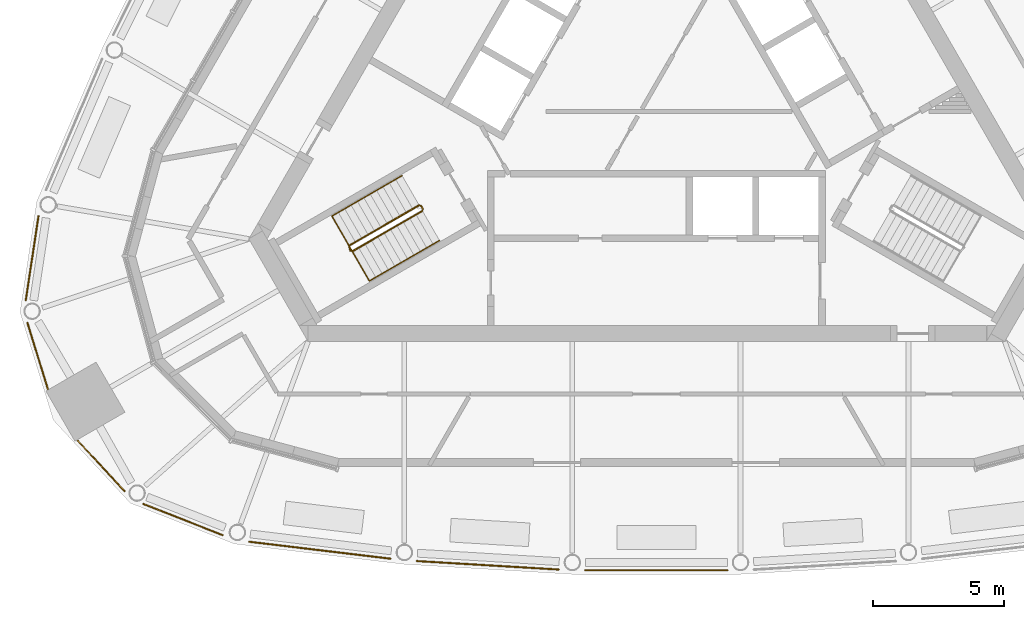
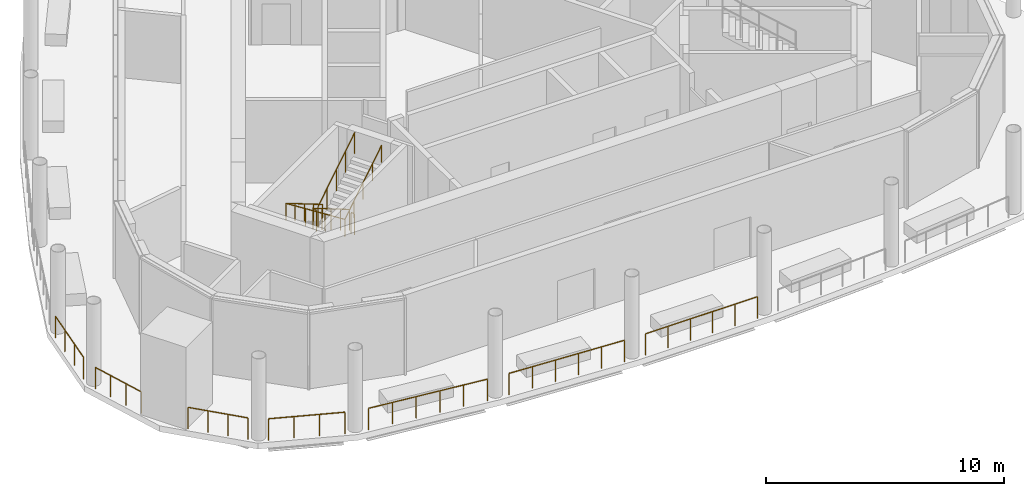
# One storey, part 10 of 15: 11 railings.
"""IFC4 building model written with IfcOpenShell, lengths in metres."""

from ifc_helpers import new_model, si_unit, direction, frame, origin, origin_2d, place, context, subcontext, project, spatial, circle, extrude, material, type_object, element, save


model = new_model("IFC4")

# Units and contexts
model_context = context("Model", 3, precision=1e-05, world=origin(), true_north=direction((0.0, 1.0)))
body_context = subcontext(model_context, "Body", "Model", "MODEL_VIEW")
ifc_project = project(units=[si_unit("LENGTHUNIT", "METRE"), si_unit("AREAUNIT", "SQUARE_METRE"), si_unit("VOLUMEUNIT", "CUBIC_METRE"), si_unit("PLANEANGLEUNIT", "RADIAN"), si_unit("MASSUNIT", "GRAM", prefix="KILO")], contexts=[model_context])

# Site, building, storey
site_placement = place(None, origin())
site = spatial("IfcSite", under=ifc_project, at=site_placement, CompositionType="ELEMENT")
building_placement = place(site_placement, origin())
building = spatial("IfcBuilding", under=site, at=building_placement, Name="Mestral Congress Tower", CompositionType="ELEMENT")
storey_placement = place(building_placement, frame((0.0, 0.0, 327.60009765625)))
storey = spatial("IfcBuildingStorey", under=building, at=storey_placement, Name="L76", CompositionType="ELEMENT", Elevation=327.60009765625)

# Railings
ifc_material_1 = material(Name="Stainless steel", Category="steel")
railing_type_1 = type_object("IfcRailingType", Name="Facade guard 1120 steel and glass", PredefinedType="GUARDRAIL", material=ifc_material_1)
railing_1_placement = place(storey_placement, frame((-15.492431640625, -17.867919921875, 0.0)))
element("IfcRailing", 1, at=railing_1_placement, inside=storey, type_object=railing_type_1, Name="Terrace guard F0-00", PredefinedType="GUARDRAIL", context=body_context, shape_type="SweptSolid", body=[
    extrude(circle(Radius=0.02392578125, at=origin_2d()), frame((0.0, 0.0, 1.09619140625), z_axis=(0.992890912139, -0.119027881575, 0.0), x_axis=(0.119027881575, 0.992890912139, 0.0)), (0.0, 0.0, 1.0), 5.4150390625),
    extrude(circle(Radius=0.02099609375, at=origin_2d()), origin(), (0.0, 0.0, 1.0), 1.072021484375),
    extrude(circle(Radius=0.02099609375, at=origin_2d()), frame((1.0751953125, -0.12890625, 0.0)), (0.0, 0.0, 1.0), 1.072021484375),
    extrude(circle(Radius=0.02099609375, at=origin_2d()), frame((2.150634765625, -0.2578125, 0.0)), (0.0, 0.0, 1.0), 1.072021484375),
    extrude(circle(Radius=0.02099609375, at=origin_2d()), frame((3.225830078125, -0.38671875, 0.0)), (0.0, 0.0, 1.0), 1.072021484375),
    extrude(circle(Radius=0.02099609375, at=origin_2d()), frame((4.30126953125, -0.515625, 0.0)), (0.0, 0.0, 1.0), 1.072021484375),
    extrude(circle(Radius=0.02099609375, at=origin_2d()), frame((5.37646484375, -0.64453125, 0.0)), (0.0, 0.0, 1.0), 1.072021484375),
])
railing_2_placement = place(storey_placement, frame((-9.109375, -18.602783203125, 0.0)))
element("IfcRailing", 2, at=railing_2_placement, inside=storey, type_object=railing_type_1, Name="Terrace guard F0-01", PredefinedType="GUARDRAIL", context=body_context, shape_type="SweptSolid", body=[
    extrude(circle(Radius=0.02392578125, at=origin_2d()), frame((0.0, 0.0, 1.09619140625), z_axis=(0.998221492823, -0.059614186786, 0.0), x_axis=(0.059614186786, 0.998221492823, 0.0)), (0.0, 0.0, 1.0), 5.40576171875),
    extrude(circle(Radius=0.02099609375, at=origin_2d()), origin(), (0.0, 0.0, 1.0), 1.072021484375),
    extrude(circle(Radius=0.02099609375, at=origin_2d()), frame((1.079345703125, -0.064453125, 0.0)), (0.0, 0.0, 1.0), 1.072021484375),
    extrude(circle(Radius=0.02099609375, at=origin_2d()), frame((2.158447265625, -0.12890625, 0.0)), (0.0, 0.0, 1.0), 1.072021484375),
    extrude(circle(Radius=0.02099609375, at=origin_2d()), frame((3.23779296875, -0.193359375, 0.0)), (0.0, 0.0, 1.0), 1.072021484375),
    extrude(circle(Radius=0.02099609375, at=origin_2d()), frame((4.31689453125, -0.2578125, 0.0)), (0.0, 0.0, 1.0), 1.072021484375),
    extrude(circle(Radius=0.02099609375, at=origin_2d()), frame((5.396240234375, -0.322265625, 0.0)), (0.0, 0.0, 1.0), 1.072021484375),
])
railing_3_placement = place(storey_placement, frame((-2.702880859375, -18.955078125, 0.0)))
element("IfcRailing", 3, at=railing_3_placement, inside=storey, type_object=railing_type_1, Name="Terrace guard F0-02", PredefinedType="GUARDRAIL", context=body_context, shape_type="SweptSolid", body=[
    extrude(circle(Radius=0.02392578125, at=origin_2d()), frame((0.0, 0.0, 1.09619140625), z_axis=(1.0, 0.0, 0.0), x_axis=(0.0, 1.0, 0.0)), (0.0, 0.0, 1.0), 5.40576171875),
    extrude(circle(Radius=0.02099609375, at=origin_2d()), origin(), (0.0, 0.0, 1.0), 1.072021484375),
    extrude(circle(Radius=0.02099609375, at=origin_2d()), frame((1.0810546875, 0.0, 0.0)), (0.0, 0.0, 1.0), 1.072021484375),
    extrude(circle(Radius=0.02099609375, at=origin_2d()), frame((2.162353515625, 0.0, 0.0)), (0.0, 0.0, 1.0), 1.072021484375),
    extrude(circle(Radius=0.02099609375, at=origin_2d()), frame((3.243408203125, 0.0, 0.0)), (0.0, 0.0, 1.0), 1.072021484375),
    extrude(circle(Radius=0.02099609375, at=origin_2d()), frame((4.32470703125, 0.0, 0.0)), (0.0, 0.0, 1.0), 1.072021484375),
    extrude(circle(Radius=0.02099609375, at=origin_2d()), frame((5.40576171875, 0.0, 0.0)), (0.0, 0.0, 1.0), 1.072021484375),
])
railing_4_placement = place(storey_placement, frame((-23.5048828125, -5.481201171875, 0.0)))
element("IfcRailing", 4, at=railing_4_placement, inside=storey, type_object=railing_type_1, Name="Terrace guard K2-0", PredefinedType="GUARDRAIL", context=body_context, shape_type="SweptSolid", body=[
    extrude(circle(Radius=0.02392578125, at=origin_2d()), frame((0.0, 0.0, 1.09619140625), z_axis=(-0.149347311305, -0.988784799947, 0.0), x_axis=(0.988784799947, -0.149347311305, 0.0)), (0.0, 0.0, 1.0), 3.23681640625),
    extrude(circle(Radius=0.02099609375, at=origin_2d()), origin(), (0.0, 0.0, 1.0), 1.072021484375),
    extrude(circle(Radius=0.02099609375, at=origin_2d()), frame((-0.1611328125, -1.06689453125, 0.0)), (0.0, 0.0, 1.0), 1.072021484375),
    extrude(circle(Radius=0.02099609375, at=origin_2d()), frame((-0.322265625, -2.133544921875, 0.0)), (0.0, 0.0, 1.0), 1.072021484375),
    extrude(circle(Radius=0.02099609375, at=origin_2d()), frame((-0.4833984375, -3.200439453125, 0.0)), (0.0, 0.0, 1.0), 1.072021484375),
])
railing_5_placement = place(storey_placement, frame((-23.923583984375, -9.54833984375, 0.0)))
element("IfcRailing", 5, at=railing_5_placement, inside=storey, type_object=railing_type_1, Name="Terrace guard K2-1", PredefinedType="GUARDRAIL", context=body_context, shape_type="SweptSolid", body=[
    extrude(circle(Radius=0.02392578125, at=origin_2d()), frame((0.0, 0.0, 1.09619140625), z_axis=(0.294706210429, -0.9555879078, 0.0), x_axis=(0.9555879078, 0.294706210429, 0.0)), (0.0, 0.0, 1.0), 2.626953125),
    extrude(circle(Radius=0.02099609375, at=origin_2d()), origin(), (0.0, 0.0, 1.0), 1.072021484375),
    extrude(circle(Radius=0.02099609375, at=origin_2d()), frame((0.258056640625, -0.836669921875, 0.0)), (0.0, 0.0, 1.0), 1.072021484375),
    extrude(circle(Radius=0.02099609375, at=origin_2d()), frame((0.51611328125, -1.673583984375, 0.0)), (0.0, 0.0, 1.0), 1.072021484375),
    extrude(circle(Radius=0.02099609375, at=origin_2d()), frame((0.774169921875, -2.51025390625, 0.0)), (0.0, 0.0, 1.0), 1.072021484375),
])
railing_6_placement = place(storey_placement, frame((-22.017822265625, -14.018798828125, 0.0)))
element("IfcRailing", 6, at=railing_6_placement, inside=storey, type_object=railing_type_1, Name="Terrace guard K2-2", PredefinedType="GUARDRAIL", context=body_context, shape_type="SweptSolid", body=[
    extrude(circle(Radius=0.02392578125, at=origin_2d()), frame((0.0, 0.0, 1.09619140625), z_axis=(0.680265696543, -0.732965607725, 0.0), x_axis=(0.732965607725, 0.680265696543, 0.0)), (0.0, 0.0, 1.0), 2.626708984375),
    extrude(circle(Radius=0.02099609375, at=origin_2d()), origin(), (0.0, 0.0, 1.0), 1.072021484375),
    extrude(circle(Radius=0.02099609375, at=origin_2d()), frame((0.595703125, -0.641845703125, 0.0)), (0.0, 0.0, 1.0), 1.072021484375),
    extrude(circle(Radius=0.02099609375, at=origin_2d()), frame((1.191162109375, -1.283447265625, 0.0)), (0.0, 0.0, 1.0), 1.072021484375),
    extrude(circle(Radius=0.02099609375, at=origin_2d()), frame((1.786865234375, -1.92529296875, 0.0)), (0.0, 0.0, 1.0), 1.072021484375),
])
railing_7_placement = place(storey_placement, frame((-19.5126953125, -16.43359375, 0.0)))
element("IfcRailing", 7, at=railing_7_placement, inside=storey, type_object=railing_type_1, Name="Terrace guard K2-3", PredefinedType="GUARDRAIL", context=body_context, shape_type="SweptSolid", body=[
    extrude(circle(Radius=0.02392578125, at=origin_2d()), frame((0.0, 0.0, 1.09619140625), z_axis=(0.930998834996, -0.365022148967, 0.0), x_axis=(0.365022148967, 0.930998834996, 0.0)), (0.0, 0.0, 1.0), 3.236572265625),
    extrude(circle(Radius=0.02099609375, at=origin_2d()), origin(), (0.0, 0.0, 1.0), 1.072021484375),
    extrude(circle(Radius=0.02099609375, at=origin_2d()), frame((1.00439453125, -0.393798828125, 0.0)), (0.0, 0.0, 1.0), 1.072021484375),
    extrude(circle(Radius=0.02099609375, at=origin_2d()), frame((2.0087890625, -0.78759765625, 0.0)), (0.0, 0.0, 1.0), 1.072021484375),
    extrude(circle(Radius=0.02099609375, at=origin_2d()), frame((3.01318359375, -1.181396484375, 0.0)), (0.0, 0.0, 1.0), 1.072021484375),
])
ifc_material_2 = material(Name="Steel balustrade", Category="steel")
railing_type_2 = type_object("IfcRailingType", Name="Stair guard 1100", PredefinedType="GUARDRAIL", material=ifc_material_2)
railing_8_placement = place(storey_placement, frame((-9.02587890625, -5.066650390625, 0.1748046875)))
element("IfcRailing", 8, at=railing_8_placement, inside=storey, type_object=railing_type_2, Name="L76 ST3 stair guard 1", PredefinedType="GUARDRAIL", context=body_context, shape_type="SweptSolid", body=[
    extrude(circle(Radius=0.02392578125, at=origin_2d()), frame((0.0, 0.0, 1.076171875), z_axis=(-0.734364028329, -0.424015404183, 0.530019255228), x_axis=(0.500026652407, -0.866010015463, 0.0)), (0.0, 0.0, 1.0), 3.632080078125),
    extrude(circle(Radius=0.02392578125, at=origin_2d()), frame((-2.667236328125, -1.5400390625, 3.0009765625), z_axis=(0.274721127897, -0.961523947641, 0.0), x_axis=(0.961523947641, 0.274721127897, 0.0)), (0.0, 0.0, 1.0), 0.2060546875),
    extrude(circle(Radius=0.02099609375, at=origin_2d()), origin(), (0.0, 0.0, 1.0), 1.052001953125),
    extrude(circle(Radius=0.02099609375, at=origin_2d()), frame((-0.666748046875, -0.385009765625, 0.481201171875)), (0.0, 0.0, 1.0), 1.052001953125),
    extrude(circle(Radius=0.02099609375, at=origin_2d()), frame((-1.33349609375, -0.77001953125, 0.96240234375)), (0.0, 0.0, 1.0), 1.052001953125),
    extrude(circle(Radius=0.02099609375, at=origin_2d()), frame((-2.00048828125, -1.155029296875, 1.44384765625)), (0.0, 0.0, 1.0), 1.052001953125),
    extrude(circle(Radius=0.02099609375, at=origin_2d()), frame((-2.667236328125, -1.5400390625, 1.925048828125)), (0.0, 0.0, 1.0), 1.052001953125),
    extrude(circle(Radius=0.02099609375, at=origin_2d()), frame((-2.610595703125, -1.73828125, 1.925048828125)), (0.0, 0.0, 1.0), 1.052001953125),
])
railing_9_placement = place(storey_placement, frame((-11.568115234375, -6.8232421875, 2.27490234375)))
element("IfcRailing", 9, at=railing_9_placement, inside=storey, type_object=railing_type_2, Name="L76 ST3 stair guard 2", PredefinedType="GUARDRAIL", context=body_context, shape_type="SweptSolid", body=[
    extrude(circle(Radius=0.02392578125, at=origin_2d()), frame((0.0, 0.0, 1.076171875), z_axis=(0.734364028329, 0.424015404183, 0.530019255228), x_axis=(-0.500026652407, 0.866010015463, 0.0)), (0.0, 0.0, 1.0), 3.632080078125),
    extrude(circle(Radius=0.02099609375, at=origin_2d()), origin(), (0.0, 0.0, 1.0), 1.052001953125),
    extrude(circle(Radius=0.02099609375, at=origin_2d()), frame((0.666748046875, 0.385009765625, 0.481201171875)), (0.0, 0.0, 1.0), 1.052001953125),
    extrude(circle(Radius=0.02099609375, at=origin_2d()), frame((1.33349609375, 0.77001953125, 0.96240234375)), (0.0, 0.0, 1.0), 1.052001953125),
    extrude(circle(Radius=0.02099609375, at=origin_2d()), frame((2.00048828125, 1.155029296875, 1.44384765625)), (0.0, 0.0, 1.0), 1.052001953125),
    extrude(circle(Radius=0.02099609375, at=origin_2d()), frame((2.667236328125, 1.5400390625, 1.925048828125)), (0.0, 0.0, 1.0), 1.052001953125),
])
railing_10_placement = place(storey_placement, frame((-8.95751953125, -5.0849609375, 0.0)))
element("IfcRailing", 10, at=railing_10_placement, inside=storey, type_object=railing_type_2, Name="L76 ST3 stair guard 3", PredefinedType="GUARDRAIL", context=body_context, shape_type="SweptSolid", body=[
    extrude(circle(Radius=0.02392578125, at=origin_2d()), frame((0.0, 0.0, 1.076171875), z_axis=(0.499816412211, -0.866131372301, 0.0), x_axis=(0.866131372301, 0.499816412211, 0.0)), (0.0, 0.0, 1.0), 0.14990234375),
    extrude(circle(Radius=0.02099609375, at=origin_2d()), origin(), (0.0, 0.0, 1.0), 1.052001953125),
    extrude(circle(Radius=0.02099609375, at=origin_2d()), frame((0.074951171875, -0.1298828125, 0.0)), (0.0, 0.0, 1.0), 1.052001953125),
])
ifc_material_3 = material(Name="Steel handrail", Category="steel")
railing_type_3 = type_object("IfcRailingType", Name="Stair handrail 900", PredefinedType="HANDRAIL", material=ifc_material_3)
railing_11_placement = place(storey_placement, frame((-9.67578125, -3.94091796875, 0.1748046875)))
element("IfcRailing", 11, at=railing_11_placement, inside=storey, type_object=railing_type_3, Name="L76 ST3 stair handrail 1", PredefinedType="HANDRAIL", context=body_context, shape_type="SweptSolid", body=[
    extrude(circle(Radius=0.02392578125, at=origin_2d()), frame((0.0, 0.0, 0.8759765625), z_axis=(-0.734394994316, -0.423994474112, 0.52999309264), x_axis=(0.499992328818, -0.866029832698, 0.0)), (0.0, 0.0, 1.0), 3.63232421875),
    extrude(circle(Radius=0.02392578125, at=origin_2d()), frame((-2.66748046875, -1.5400390625, 2.80078125), z_axis=(0.499095769026, -0.864375386171, 0.061307463833), x_axis=(0.866004402611, 0.500036373335, 0.0)), (0.0, 0.0, 1.0), 2.855224609375),
    extrude(circle(Radius=0.02392578125, at=origin_2d()), frame((-1.242431640625, -4.008056640625, 2.97607421875), z_axis=(0.734384958227, 0.423960268333, 0.530034361155), x_axis=(-0.499967199496, 0.866044340336, 0.0)), (0.0, 0.0, 1.0), 3.6318359375),
    extrude(circle(Radius=0.02099609375, at=origin_2d()), origin(), (0.0, 0.0, 1.0), 0.851806640625),
    extrude(circle(Radius=0.02099609375, at=origin_2d()), frame((-0.6669921875, -0.385009765625, 0.481201171875)), (0.0, 0.0, 1.0), 0.851806640625),
    extrude(circle(Radius=0.02099609375, at=origin_2d()), frame((-1.333740234375, -0.77001953125, 0.96240234375)), (0.0, 0.0, 1.0), 0.851806640625),
    extrude(circle(Radius=0.02099609375, at=origin_2d()), frame((-2.00048828125, -1.155029296875, 1.44384765625)), (0.0, 0.0, 1.0), 0.851806640625),
    extrude(circle(Radius=0.02099609375, at=origin_2d()), frame((-2.66748046875, -1.5400390625, 1.925048828125)), (0.0, 0.0, 1.0), 0.851806640625),
    extrude(circle(Radius=0.02099609375, at=origin_2d()), frame((-2.1923828125, -2.36279296875, 1.9833984375)), (0.0, 0.0, 1.0), 0.851806640625),
    extrude(circle(Radius=0.02099609375, at=origin_2d()), frame((-1.717529296875, -3.185302734375, 2.041748046875)), (0.0, 0.0, 1.0), 0.851806640625),
    extrude(circle(Radius=0.02099609375, at=origin_2d()), frame((-1.242431640625, -4.008056640625, 2.10009765625)), (0.0, 0.0, 1.0), 0.851806640625),
    extrude(circle(Radius=0.02099609375, at=origin_2d()), frame((-0.57568359375, -3.623046875, 2.581298828125)), (0.0, 0.0, 1.0), 0.851806640625),
    extrude(circle(Radius=0.02099609375, at=origin_2d()), frame((0.09130859375, -3.23828125, 3.0625)), (0.0, 0.0, 1.0), 0.851806640625),
    extrude(circle(Radius=0.02099609375, at=origin_2d()), frame((0.758056640625, -2.853271484375, 3.5439453125)), (0.0, 0.0, 1.0), 0.851806640625),
    extrude(circle(Radius=0.02099609375, at=origin_2d()), frame((1.4248046875, -2.46826171875, 4.025146484375)), (0.0, 0.0, 1.0), 0.851806640625),
])

save(model, "model.ifc")
